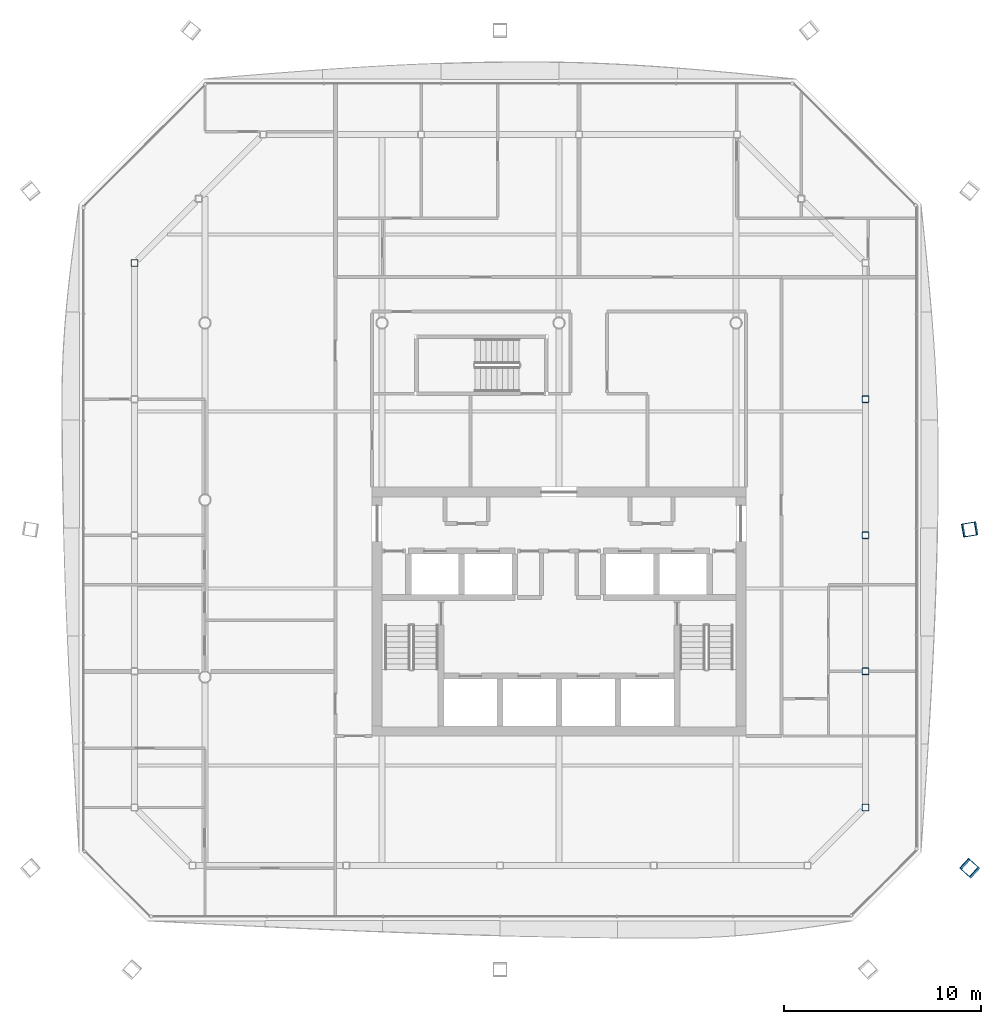
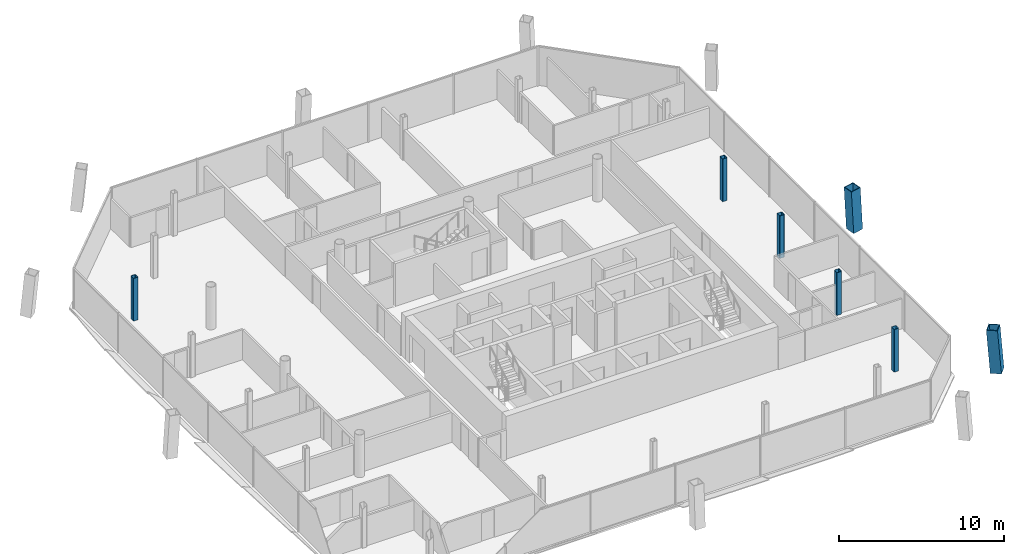
# One storey, part 2 of 20: 7 columns.
"""IFC4 building model written with IfcOpenShell, lengths in metres."""

from ifc_helpers import new_model, si_unit, direction, frame, origin, origin_2d, place, context, subcontext, project, spatial, hollow_rectangle, extrude, material, material_profile, profile_set, type_object, element, save


model = new_model("IFC4")

# Units and contexts
model_context = context("Model", 3, precision=1e-05, world=origin(), true_north=direction((0.0, 1.0)))
body_context = subcontext(model_context, "Body", "Model", "MODEL_VIEW")
ifc_project = project(units=[si_unit("LENGTHUNIT", "METRE"), si_unit("AREAUNIT", "SQUARE_METRE"), si_unit("VOLUMEUNIT", "CUBIC_METRE"), si_unit("PLANEANGLEUNIT", "RADIAN"), si_unit("MASSUNIT", "GRAM", prefix="KILO")], contexts=[model_context])

# Site, building, storey
site_placement = place(None, origin())
site = spatial("IfcSite", under=ifc_project, at=site_placement, CompositionType="ELEMENT")
building_placement = place(site_placement, origin())
building = spatial("IfcBuilding", under=site, at=building_placement, Name="Tskaro Facet Tower", CompositionType="ELEMENT")
storey_placement = place(building_placement, frame((0.0, 0.0, 178.5)))
storey = spatial("IfcBuildingStorey", under=building, at=storey_placement, Name="L44", CompositionType="ELEMENT", Elevation=178.5)

# Columns
ifc_material_1 = material(Name="Steel S460M", Category="steel")
ifc_material_profile_1 = material_profile(ifc_material_1, hollow_rectangle(XDim=0.699951171875, YDim=0.699951171875, WallThickness=0.044921875, at=origin_2d()), Name="BOX 700x700x45")
ifc_profile_set_1 = profile_set([ifc_material_profile_1], Name="Steel S460M")
column_type_1 = type_object("IfcColumnType", Name="BOX 700x700x45 mega column", PredefinedType="COLUMN", material=ifc_profile_set_1)
column_1_placement = place(storey_placement, frame((20.910888671875, -18.751953125, 0.0), z_axis=(-0.057874436932, 0.052851955756, 0.996923878901), x_axis=(-0.674339490337, -0.738421459448, 0.0)))
element("IfcColumn", 1, at=column_1_placement, inside=storey, type_object=column_type_1, Name="BOX 700x700x45 MC04/4", PredefinedType="COLUMN", context=body_context, shape_type="SweptSolid", body=[
    extrude(hollow_rectangle(XDim=0.699951171875, YDim=0.699951171875, WallThickness=0.044921875, at=origin_2d()), origin(), (0.0, 0.0, 1.0), 3.15966796875),
])
column_2_placement = place(storey_placement, frame((20.910888671875, -1.493896484375, 0.0), z_axis=(-0.057952639735, -0.009826415549, 0.998270971783), x_axis=(0.167173292449, -0.98592752791, 0.0)))
element("IfcColumn", 2, at=column_2_placement, inside=storey, type_object=column_type_1, Name="BOX 700x700x45 MC05/4", PredefinedType="COLUMN", context=body_context, shape_type="SweptSolid", body=[
    extrude(hollow_rectangle(XDim=0.699951171875, YDim=0.699951171875, WallThickness=0.044921875, at=origin_2d()), origin(), (0.0, 0.0, 1.0), 3.1552734375),
])
ifc_material_2 = material(Name="Steel S355J2H", Category="steel")
ifc_material_profile_2 = material_profile(ifc_material_2, hollow_rectangle(XDim=0.35009765625, YDim=0.35009765625, WallThickness=0.02001953125, InnerFilletRadius=0.030029296875, OuterFilletRadius=0.050048828125, at=origin_2d()), Name="SHS 350x350x20")
ifc_profile_set_2 = profile_set([ifc_material_profile_2], Name="Steel S355J2H")
column_type_2 = type_object("IfcColumnType", Name="SHS 350x350x20 ring column", PredefinedType="COLUMN", material=ifc_profile_set_2)
for number, where, z_axis, x_axis, name in (
    (3, (15.5830078125, -15.633056640625, 0.0), (0.0, 0.0, 1.0), (1.0, 0.0, 0.0), "SHS 350x350x20 RE-1/4"),
    (4, (15.5830078125, -8.712890625, 0.0), (0.0, 0.0, 1.0), (1.0, 0.0, 0.0), "SHS 350x350x20 RE-2/4"),
    (5, (15.5830078125, -1.79296875, 0.0), (0.0, 0.0, 1.0), (1.0, 0.0, 0.0), "SHS 350x350x20 RE-3/4"),
    (6, (15.5830078125, 5.1259765625, 0.0), (0.0, 0.0, 1.0), (1.0, 0.0, 0.0), "SHS 350x350x20 RE-4/4"),
    (7, (-21.5830078125, 12.0458984375, 0.0), (0.0, 0.0, 1.0), (1.0, 0.0, 0.0), "SHS 350x350x20 RW-1/4"),
):
    element("IfcColumn", number, at=place(storey_placement, frame(where, z_axis=z_axis, x_axis=x_axis)), inside=storey, type_object=column_type_2, Name=name, PredefinedType="COLUMN", context=body_context, shape_type="SweptSolid", body=[
        extrude(hollow_rectangle(XDim=0.35009765625, YDim=0.35009765625, WallThickness=0.02001953125, InnerFilletRadius=0.030029296875, OuterFilletRadius=0.050048828125, at=origin_2d()), origin(), (0.0, 0.0, 1.0), 3.14990234375),
    ])

save(model, "model.ifc")
